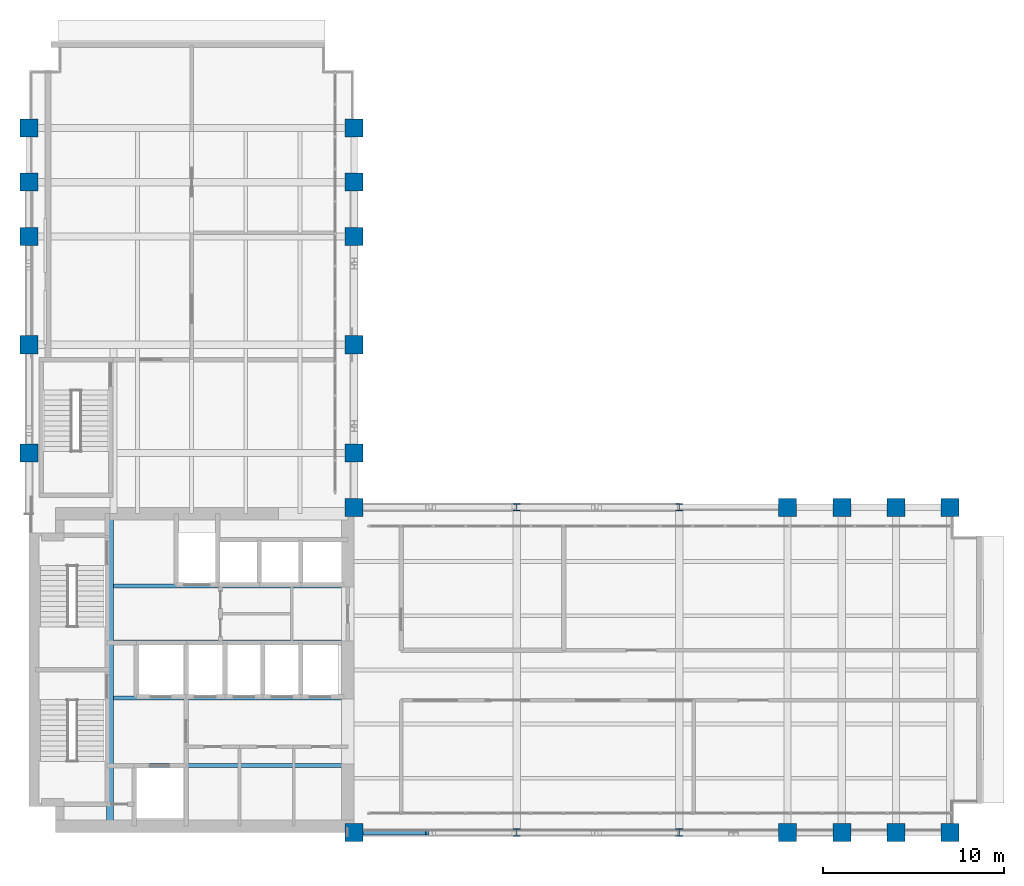
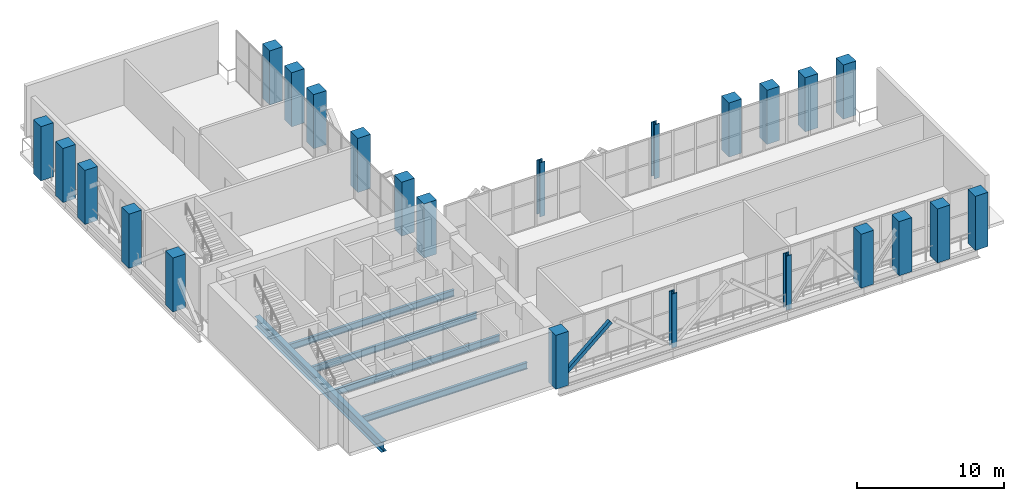
# One storey, part 1 of 27: 24 columns, 5 beams, 1 member.
"""IFC4 building model written with IfcOpenShell, lengths in metres."""

import ifcopenshell
import ifcopenshell.guid

model = None  # the IFC model being written
_history = None  # IfcOwnerHistory: only IFC2X3 demands one
_inside = {}  # id of a spatial element -> (the spatial element, [elements in it])
_under = {}  # id of a project, library or spatial element -> (it, [spatial elements below it])
_declared = {}  # id of a project -> (the project, [libraries it declares])
_typed = {}  # id of a type object -> (the type object, [elements of that type])
_made_of = {}  # id of a material, layer set ... -> (it, [elements and type objects made of it])


def new_model(schema):
    """Start an empty IFC model of exactly this schema.

    Asked for "IFC4X3", IfcOpenShell would pick the latest addendum, in which some entities
    have other attributes; the version numbers below select the first issue.
    IFC2X3 requires an IfcOwnerHistory on every rooted entity: one is made here for all.
    """
    global model, _history
    if schema == "IFC4X3":
        model = ifcopenshell.file(schema_version=(4, 3, 0, 0))
    else:
        model = ifcopenshell.file(schema=schema)
    _inside.clear()
    _under.clear()
    _declared.clear()
    _typed.clear()
    _made_of.clear()
    _history = None
    if model.schema == "IFC2X3":
        org = make("IfcOrganization", Name="unknown")
        user = make(
            "IfcPersonAndOrganization",
            ThePerson=make("IfcPerson", FamilyName="unknown"),
            TheOrganization=org,
        )
        app = make(
            "IfcApplication",
            ApplicationDeveloper=org,
            Version="unknown",
            ApplicationFullName="unknown",
            ApplicationIdentifier="unknown",
        )
        _history = make(
            "IfcOwnerHistory",
            OwningUser=user,
            OwningApplication=app,
            ChangeAction="ADDED",
            CreationDate=0,
        )
    return model


def make(cls, **values):
    """One entity of the class cls with the attributes given. An attribute that is None is left unset."""
    return model.create_entity(
        cls, **{name: value for name, value in values.items() if value is not None}
    )


def rooted(cls, **values):
    """An entity with a GlobalId (a new one), such as an element, a storey or a relation."""
    return make(cls, GlobalId=ifcopenshell.guid.new(), OwnerHistory=_history, **values)


def si_unit(unit_type, name, prefix=None):
    """IfcSIUnit, for example si_unit("LENGTHUNIT", "METRE", prefix="MILLI")."""
    return make("IfcSIUnit", UnitType=unit_type, Prefix=prefix, Name=name)


def assignment(units):
    """IfcUnitAssignment: the units of a project."""
    return None if units is None else make("IfcUnitAssignment", Units=units)


def point(xyz):
    """IfcCartesianPoint."""
    return None if xyz is None else make("IfcCartesianPoint", Coordinates=xyz)


def direction(xyz):
    """IfcDirection."""
    return None if xyz is None else make("IfcDirection", DirectionRatios=xyz)


def frame(location, z_axis=None, x_axis=None):
    """IfcAxis2Placement3D, a coordinate frame: its origin and axes. An axis left out is left unset."""
    return make(
        "IfcAxis2Placement3D",
        Location=point(location),
        Axis=direction(z_axis),
        RefDirection=direction(x_axis),
    )


def frame_2d(location, x_axis=None):
    """IfcAxis2Placement2D, a coordinate frame in the plane: its origin and x axis."""
    return make(
        "IfcAxis2Placement2D", Location=point(location), RefDirection=direction(x_axis)
    )


def origin():
    """The frame at (0, 0, 0) with its axes left unset."""
    return frame((0.0, 0.0, 0.0))


def origin_2d():
    """The frame at (0, 0) in the plane with its x axis left unset."""
    return frame_2d((0.0, 0.0))


def place(relative_to, where):
    """IfcLocalPlacement: puts the frame where relative to a parent placement (None: the world)."""
    return make(
        "IfcLocalPlacement", PlacementRelTo=relative_to, RelativePlacement=where
    )


def context(
    kind, dimensions, precision=None, world=None, true_north=None, identifier=None
):
    """IfcGeometricRepresentationContext, for example the 3D "Model" context."""
    return make(
        "IfcGeometricRepresentationContext",
        ContextIdentifier=identifier,
        ContextType=kind,
        CoordinateSpaceDimension=dimensions,
        Precision=precision,
        WorldCoordinateSystem=world,
        TrueNorth=true_north,
    )


def subcontext(parent, identifier, kind, view, scale=None):
    """IfcGeometricRepresentationSubContext, for example "Body" below "Model"."""
    return make(
        "IfcGeometricRepresentationSubContext",
        ContextIdentifier=identifier,
        ContextType=kind,
        ParentContext=parent,
        TargetScale=scale,
        TargetView=view,
    )


def project(units=None, contexts=None):
    """IfcProject with its units and contexts."""
    return rooted(
        "IfcProject",
        Name="project",
        RepresentationContexts=contexts,
        UnitsInContext=assignment(units),
    )


def spatial(cls, under=None, at=None, **own):
    """A site, building, storey or space (cls), placed at a placement, below another one or the project."""
    s = rooted(cls, ObjectPlacement=at, **own)
    if under is not None:
        _under.setdefault(under.id(), (under, []))[1].append(s)
    return s


def profile(cls, at=None, kind="AREA", **sizes):
    """A parametric profile (cls). Its sizes go by their IFC names, for example OverallWidth=200.0."""
    return make(cls, ProfileType=kind, Position=at, **sizes)


def rectangle(**sizes):
    """IfcRectangleProfileDef."""
    return profile("IfcRectangleProfileDef", **sizes)


def hollow_rectangle(**sizes):
    """IfcRectangleHollowProfileDef."""
    return profile("IfcRectangleHollowProfileDef", **sizes)


def i_section(**sizes):
    """IfcIShapeProfileDef."""
    return profile("IfcIShapeProfileDef", **sizes)


def extrude(swept, where, along, depth):
    """IfcExtrudedAreaSolid: the profile swept, set in the frame where, extruded along a direction by depth."""
    return make(
        "IfcExtrudedAreaSolid",
        SweptArea=swept,
        Position=where,
        ExtrudedDirection=direction(along),
        Depth=depth,
    )


def shape(context_of_items, identifier, shape_type, items):
    """IfcShapeRepresentation: the items that make up one representation, for example the "Body"."""
    return make(
        "IfcShapeRepresentation",
        ContextOfItems=context_of_items,
        RepresentationIdentifier=identifier,
        RepresentationType=shape_type,
        Items=items,
    )


def material(Name=None, Category=None):
    """IfcMaterial."""
    return make("IfcMaterial", Name=Name, Category=Category)


def material_profile(
    of_material, cross_section, Name=None, Category=None, Priority=None
):
    """IfcMaterialProfile: a cross section and its material."""
    return make(
        "IfcMaterialProfile",
        Name=Name,
        Material=of_material,
        Profile=cross_section,
        Priority=Priority,
        Category=Category,
    )


def profile_set(profiles, Name=None, composite=None):
    """IfcMaterialProfileSet."""
    return make(
        "IfcMaterialProfileSet",
        Name=Name,
        MaterialProfiles=profiles,
        CompositeProfile=composite,
    )


def made_of(thing, what):
    """Note that an element or type object is made of a material, layer set ...; save() writes the relation."""
    if what is not None:
        _made_of.setdefault(what.id(), (what, []))[1].append(thing)
    return thing


def type_object(cls, material=None, **own):
    """A type object (cls), such as IfcWallType, which elements share."""
    return made_of(rooted(cls, **own), material)


def element(
    cls,
    number,
    at=None,
    inside=None,
    cuts=None,
    type_object=None,
    material=None,
    context=None,
    identifier="Body",
    shape_type=None,
    held_by="IfcProductDefinitionShape",
    body=None,
    shapes=None,
    **own,
):
    """One element of the class cls, such as IfcWall. Its Tag is "e" and its number.

    at: its placement. inside: the storey or other place that contains it. cuts: it is an
    opening in that element (IfcRelVoidsElement). A single representation is given by context,
    identifier, shape_type and body (its items); several are given by shapes. held_by: the class
    of the entity that holds the representations. save() writes the other relations.
    """
    e = rooted(cls, Tag="e%d" % number, ObjectPlacement=at, **own)
    if body is not None:
        shapes = [shape(context, identifier, shape_type, body)]
    if shapes is not None:
        e.Representation = make(held_by, Representations=shapes)
    if inside is not None:
        _inside.setdefault(inside.id(), (inside, []))[1].append(e)
    if cuts is not None:
        rooted(
            "IfcRelVoidsElement", RelatingBuildingElement=cuts, RelatedOpeningElement=e
        )
    if type_object is not None:
        _typed.setdefault(type_object.id(), (type_object, []))[1].append(e)
    return made_of(e, material)


def aggregate(whole, parts):
    """IfcRelAggregates: a whole, such as a stair, and the parts it consists of."""
    return rooted("IfcRelAggregates", RelatingObject=whole, RelatedObjects=parts)


def save(model, path):
    """Write the relations noted so far, then the file.

    IfcRelAggregates (storeys below a building ...), IfcRelContainedInSpatialStructure (elements
    in a storey), IfcRelDefinesByType, IfcRelAssociatesMaterial and IfcRelDeclares: one each for
    every whole, place, type object, material and project.
    """
    for whole, parts in _under.values():
        aggregate(whole, parts)
    for where, things in _inside.values():
        rooted(
            "IfcRelContainedInSpatialStructure",
            RelatedElements=things,
            RelatingStructure=where,
        )
    for kind, things in _typed.values():
        rooted("IfcRelDefinesByType", RelatedObjects=things, RelatingType=kind)
    for what, things in _made_of.values():
        rooted("IfcRelAssociatesMaterial", RelatedObjects=things, RelatingMaterial=what)
    for by, libraries in _declared.values():
        rooted("IfcRelDeclares", RelatingContext=by, RelatedDefinitions=libraries)
    model.write(path)


model = new_model("IFC4")

# Units and contexts
model_context = context("Model", 3, precision=1e-05, world=origin(), true_north=direction((0.0, 1.0)))
body_context = subcontext(model_context, "Body", "Model", "MODEL_VIEW")
ifc_project = project(units=[si_unit("LENGTHUNIT", "METRE"), si_unit("AREAUNIT", "SQUARE_METRE"), si_unit("VOLUMEUNIT", "CUBIC_METRE"), si_unit("PLANEANGLEUNIT", "RADIAN"), si_unit("MASSUNIT", "GRAM", prefix="KILO")], contexts=[model_context])

# Site, building, storey
site_placement = place(None, origin())
site = spatial("IfcSite", under=ifc_project, at=site_placement, CompositionType="ELEMENT")
building_placement = place(site_placement, origin())
building = spatial("IfcBuilding", under=site, at=building_placement, Name="Mawjdan Bourse Tower", CompositionType="ELEMENT")
storey_placement = place(building_placement, frame((0.0, 0.0, 155.699951171875)))
storey = spatial("IfcBuildingStorey", under=building, at=storey_placement, Name="L37", CompositionType="ELEMENT", Elevation=155.699951171875)

# Columns
ifc_material_1 = material(Name="Concrete C70/85", Category="concrete")
ifc_material_profile_1 = material_profile(ifc_material_1, rectangle(XDim=1.0, YDim=1.0, at=origin_2d()), Name="RC1000X1000")
ifc_profile_set_1 = profile_set([ifc_material_profile_1], Name="Concrete C70/85")
column_type_1 = type_object("IfcColumnType", Name="COL-RC1000X1000", PredefinedType="COLUMN", material=ifc_profile_set_1)
for number, where, z_axis, x_axis, name in (
    (1, (24.0, 3.0, 0.0), (0.0, 0.0, 1.0), (1.0, 0.0, 0.0), "L37 Structural Column C-X240-Y30"),
    (2, (24.0, 21.0, 0.0), (0.0, 0.0, 1.0), (1.0, 0.0, 0.0), "L37 Structural Column C-X240-Y210"),
    (3, (48.0, 3.0, 0.0), (0.0, 0.0, 1.0), (1.0, 0.0, 0.0), "L37 Structural Column C-X480-Y30"),
    (4, (48.0, 21.0, 0.0), (0.0, 0.0, 1.0), (1.0, 0.0, 0.0), "L37 Structural Column C-X480-Y210"),
    (5, (51.0, 3.0, 0.0), (0.0, 0.0, 1.0), (1.0, 0.0, 0.0), "L37 Structural Column C-X510-Y30"),
    (6, (51.0, 21.0, 0.0), (0.0, 0.0, 1.0), (1.0, 0.0, 0.0), "L37 Structural Column C-X510-Y210"),
    (7, (54.0, 3.0, 0.0), (0.0, 0.0, 1.0), (1.0, 0.0, 0.0), "L37 Structural Column C-X540-Y30"),
    (8, (54.0, 21.0, 0.0), (0.0, 0.0, 1.0), (1.0, 0.0, 0.0), "L37 Structural Column C-X540-Y210"),
    (9, (57.0, 3.0, 0.0), (0.0, 0.0, 1.0), (1.0, 0.0, 0.0), "L37 Structural Column C-X570-Y30"),
    (10, (57.0, 21.0, 0.0), (0.0, 0.0, 1.0), (1.0, 0.0, 0.0), "L37 Structural Column C-X570-Y210"),
    (11, (6.0, 24.0, 0.0), (0.0, 0.0, 1.0), (1.0, 0.0, 0.0), "L37 Structural Column C-X60-Y240"),
    (12, (24.0, 24.0, 0.0), (0.0, 0.0, 1.0), (1.0, 0.0, 0.0), "L37 Structural Column C-X240-Y240"),
    (13, (6.0, 30.0, 0.0), (0.0, 0.0, 1.0), (1.0, 0.0, 0.0), "L37 Structural Column C-X60-Y300"),
    (14, (24.0, 30.0, 0.0), (0.0, 0.0, 1.0), (1.0, 0.0, 0.0), "L37 Structural Column C-X240-Y300"),
    (15, (6.0, 36.0, 0.0), (0.0, 0.0, 1.0), (1.0, 0.0, 0.0), "L37 Structural Column C-X60-Y360"),
    (16, (24.0, 36.0, 0.0), (0.0, 0.0, 1.0), (1.0, 0.0, 0.0), "L37 Structural Column C-X240-Y360"),
    (17, (6.0, 39.0, 0.0), (0.0, 0.0, 1.0), (1.0, 0.0, 0.0), "L37 Structural Column C-X60-Y390"),
    (18, (24.0, 39.0, 0.0), (0.0, 0.0, 1.0), (1.0, 0.0, 0.0), "L37 Structural Column C-X240-Y390"),
    (19, (6.0, 42.0, 0.0), (0.0, 0.0, 1.0), (1.0, 0.0, 0.0), "L37 Structural Column C-X60-Y420"),
    (20, (24.0, 42.0, 0.0), (0.0, 0.0, 1.0), (1.0, 0.0, 0.0), "L37 Structural Column C-X240-Y420"),
):
    element("IfcColumn", number, at=place(storey_placement, frame(where, z_axis=z_axis, x_axis=x_axis)), inside=storey, type_object=column_type_1, Name=name, PredefinedType="COLUMN", context=body_context, shape_type="SweptSolid", body=[
        extrude(rectangle(XDim=1.0, YDim=1.0, at=origin_2d()), origin(), (0.0, 0.0, 1.0), 4.5),
    ])
ifc_material_2 = material(Name="Structural Steel S460", Category="steel")
ifc_material_profile_2 = material_profile(ifc_material_2, i_section(OverallWidth=0.412109375, OverallDepth=0.43505859375, WebThickness=0.035888671875, FlangeThickness=0.057373046875, FilletRadius=0.0458984375, at=origin_2d()), Name="W14X311")
ifc_profile_set_2 = profile_set([ifc_material_profile_2], Name="Structural Steel S460")
column_type_2 = type_object("IfcColumnType", Name="COL-W14X311", PredefinedType="COLUMN", material=ifc_profile_set_2)
for number, where, z_axis, x_axis, name in (
    (21, (33.0, 3.0, 0.0), (0.0, 0.0, 1.0), (1.0, 0.0, 0.0), "L37 Structural Column C-X330-Y30"),
    (22, (33.0, 21.0, 0.0), (0.0, 0.0, 1.0), (1.0, 0.0, 0.0), "L37 Structural Column C-X330-Y210"),
    (23, (42.0, 3.0, 0.0), (0.0, 0.0, 1.0), (1.0, 0.0, 0.0), "L37 Structural Column C-X420-Y30"),
    (24, (42.0, 21.0, 0.0), (0.0, 0.0, 1.0), (1.0, 0.0, 0.0), "L37 Structural Column C-X420-Y210"),
):
    element("IfcColumn", number, at=place(storey_placement, frame(where, z_axis=z_axis, x_axis=x_axis)), inside=storey, type_object=column_type_2, Name=name, PredefinedType="COLUMN", context=body_context, shape_type="SweptSolid", body=[
        extrude(i_section(OverallWidth=0.412109375, OverallDepth=0.43505859375, WebThickness=0.035888671875, FlangeThickness=0.057373046875, FilletRadius=0.0458984375, at=origin_2d()), origin(), (0.0, 0.0, 1.0), 4.5),
    ])

# Member
ifc_material_profile_3 = material_profile(ifc_material_2, hollow_rectangle(XDim=0.300048828125, YDim=0.300048828125, WallThickness=0.012451171875, at=origin_2d()), Name="HSS300X300X12.5")
ifc_profile_set_3 = profile_set([ifc_material_profile_3], Name="Structural Steel S460")
member_type = type_object("IfcMemberType", Name="BRC-HSS300X300X12.5", PredefinedType="BRACE", material=ifc_profile_set_3)
member_placement = place(storey_placement, frame((23.83349609375, 3.0, 0.199951171875), z_axis=(0.760807747852, 0.0, 0.648977326883), x_axis=(0.0, 1.0, 0.0)))
element("IfcMember", 25, at=member_placement, inside=storey, type_object=member_type, Name="L37 East Outrigger Truss 1 Diagonal 1", PredefinedType="BRACE", context=body_context, shape_type="SweptSolid", body=[
    extrude(hollow_rectangle(XDim=0.300048828125, YDim=0.300048828125, WallThickness=0.012451171875, at=origin_2d()), origin(), (0.0, 0.0, 1.0), 5.54736328125),
])

# Beams
ifc_material_3 = material(Name="Structural Steel S355", Category="steel")
ifc_material_profile_4 = material_profile(ifc_material_3, i_section(OverallWidth=0.39892578125, OverallDepth=0.85595703125, WebThickness=0.018310546875, FlangeThickness=0.029296875, FilletRadius=0.0234375, at=origin_2d()), Name="W33X201")
ifc_profile_set_4 = profile_set([ifc_material_profile_4], Name="Structural Steel S355")
beam_type_1 = type_object("IfcBeamType", Name="GRD-W33X201", PredefinedType="BEAM", material=ifc_profile_set_4)
beam_placement = place(storey_placement, frame((10.47998046875, 3.35009765625, -0.7080078125), z_axis=(0.0, 1.0, 0.0), x_axis=(-1.0, 0.0, 0.0)))
element("IfcBeam", 26, at=beam_placement, inside=storey, type_object=beam_type_1, Name="L37 Core Stair Trimmer Girder 001", PredefinedType="BEAM", context=body_context, shape_type="SweptSolid", body=[
    extrude(i_section(OverallWidth=0.39892578125, OverallDepth=0.85595703125, WebThickness=0.018310546875, FlangeThickness=0.029296875, FilletRadius=0.0234375, at=origin_2d()), origin(), (0.0, 0.0, 1.0), 17.2998046875),
])
ifc_material_profile_5 = material_profile(ifc_material_3, i_section(OverallWidth=0.2119140625, OverallDepth=0.5439453125, WebThickness=0.01318359375, FlangeThickness=0.021240234375, FilletRadius=0.01708984375, at=origin_2d()), Name="W21X83")
ifc_profile_set_5 = profile_set([ifc_material_profile_5], Name="Structural Steel S355")
beam_type_2 = type_object("IfcBeamType", Name="JST-W21X83", PredefinedType="JOIST", material=ifc_profile_set_5)
for number, where, z_axis, x_axis, name in (
    (27, (10.677490234375, 6.699951171875, -0.552001953125), (1.0, 0.0, 0.0), (0.0, 1.0, 0.0), "L37 Core Floor Joist 050"),
    (28, (10.677490234375, 10.449951171875, -0.552001953125), (1.0, 0.0, 0.0), (0.0, 1.0, 0.0), "L37 Core Floor Joist 051"),
    (29, (10.677490234375, 13.550048828125, -0.552001953125), (1.0, 0.0, 0.0), (0.0, 1.0, 0.0), "L37 Core Floor Joist 052"),
    (30, (10.677490234375, 16.64990234375, -0.552001953125), (1.0, 0.0, 0.0), (0.0, 1.0, 0.0), "L37 Core Floor Joist 053"),
):
    element("IfcBeam", number, at=place(storey_placement, frame(where, z_axis=z_axis, x_axis=x_axis)), inside=storey, type_object=beam_type_2, Name=name, PredefinedType="JOIST", context=body_context, shape_type="SweptSolid", body=[
        extrude(i_section(OverallWidth=0.2119140625, OverallDepth=0.5439453125, WebThickness=0.01318359375, FlangeThickness=0.021240234375, FilletRadius=0.01708984375, at=origin_2d()), origin(), (0.0, 0.0, 1.0), 12.972412109375),
    ])

save(model, "model.ifc")
